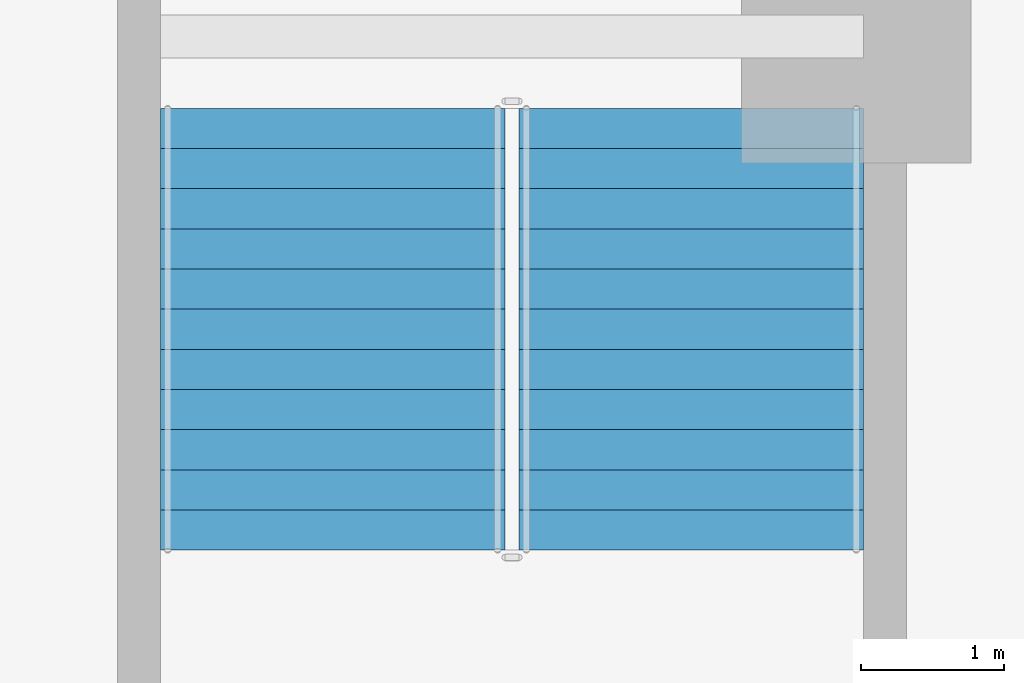
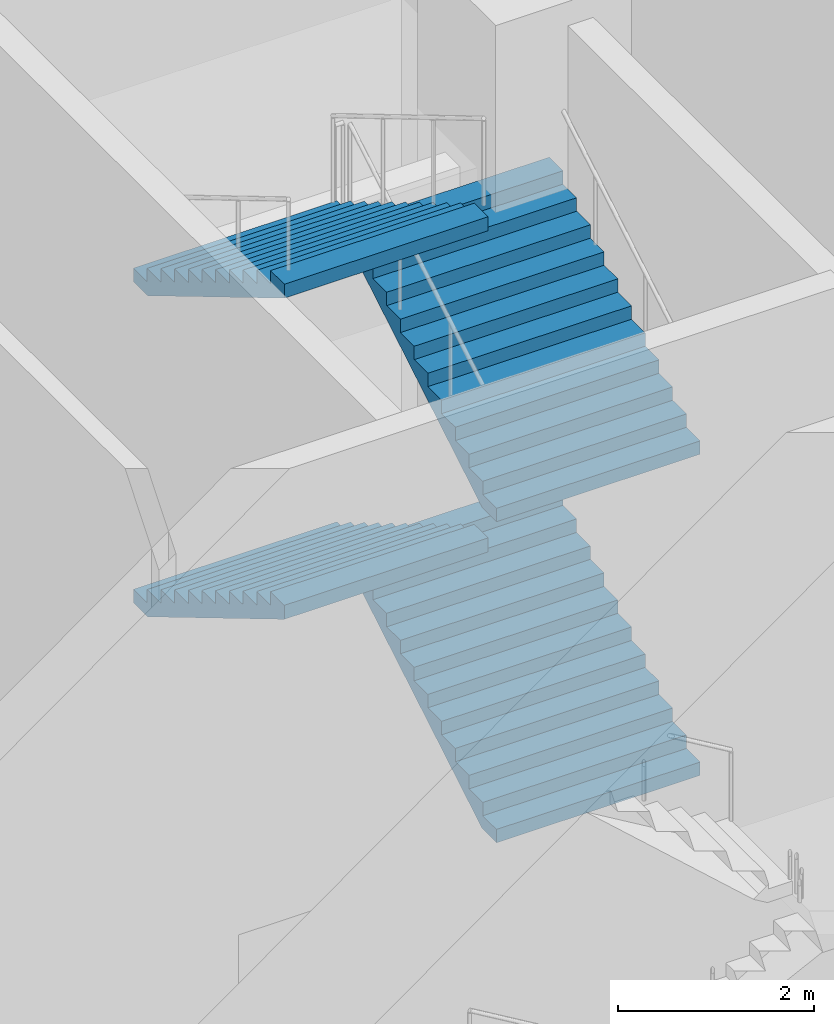
# One storey, part 38 of 54: 4 stair flights, 1 element without a shape of its own.
"""IFC4 building model written with IfcOpenShell, lengths in metres."""

from ifc_helpers import new_model, si_unit, direction, frame, origin, place, context, subcontext, project, spatial, triangles, source, transform, mapped, material, type_object, element, aggregate, save


model = new_model("IFC4")

# Units and contexts
model_context = context("Model", 3, precision=1e-05, world=origin(), true_north=direction((0.0, 1.0)))
body_context = subcontext(model_context, "Body", "Model", "MODEL_VIEW")
ifc_project = project(units=[si_unit("LENGTHUNIT", "METRE"), si_unit("AREAUNIT", "SQUARE_METRE"), si_unit("VOLUMEUNIT", "CUBIC_METRE"), si_unit("PLANEANGLEUNIT", "RADIAN"), si_unit("MASSUNIT", "GRAM", prefix="KILO")], contexts=[model_context])

# Site, building, storey
site_placement = place(None, origin())
site = spatial("IfcSite", under=ifc_project, at=site_placement, CompositionType="ELEMENT")
building_placement = place(site_placement, origin())
building = spatial("IfcBuilding", under=site, at=building_placement, Name="Ogive Portal Towers", CompositionType="ELEMENT")
storey_placement = place(building_placement, origin())
storey = spatial("IfcBuildingStorey", under=building, at=storey_placement, Name="L00", CompositionType="ELEMENT", Elevation=0.0)

# Stair, stair flights
ifc_material = material(Name="Concrete C40/50", Category="concrete")
stair_type = type_object("IfcStairType", Name="INT-STAIR", PredefinedType="HALF_TURN_STAIR", material=ifc_material)
stair_placement = place(storey_placement, origin())
stair = element("IfcStair", 1, at=stair_placement, inside=storey, type_object=stair_type, Name="L00 Exit Stair ST-P2", PredefinedType="HALF_TURN_STAIR")
stair_flight_type = type_object("IfcStairFlightType", Name="INT-FLIGHT", PredefinedType="STRAIGHT", material=ifc_material)
shared_shape = source(origin(), body_context, "Body", "Tessellation", [
    triangles([(0.0, -1.199951171875, 0.0), (0.0, -0.6943359375, 0.0), (0.0, -0.35546875, 0.0), (0.0, -0.14990234375, 0.0), (0.0, -0.04443359375, 0.0), (0.0, -0.005615234375, 0.0), (0.0, 0.0, 0.0), (0.0, 0.005615234375, 0.0), (0.0, 0.04443359375, 0.0), (0.0, 0.14990234375, 0.0), (0.0, 0.35546875, 0.0), (0.0, 0.6943359375, 0.0), (0.0, 1.199951171875, 0.0), (0.0, -1.199951171875, 0.166748046875), (0.0, -0.6943359375, 0.166748046875), (0.0, -0.35546875, 0.166748046875), (0.0, -0.14990234375, 0.166748046875), (0.0, -0.04443359375, 0.166748046875), (0.0, -0.005615234375, 0.166748046875), (0.0, 0.0, 0.166748046875), (0.0, 0.005615234375, 0.166748046875), (0.0, 0.04443359375, 0.166748046875), (0.0, 0.14990234375, 0.166748046875), (0.0, 0.35546875, 0.166748046875), (0.0, 0.6943359375, 0.166748046875), (0.0, 1.199951171875, 0.166748046875), (0.280029296875, -1.199951171875, 0.166748046875), (0.280029296875, -0.6943359375, 0.166748046875), (0.280029296875, -0.35546875, 0.166748046875), (0.280029296875, -0.14990234375, 0.166748046875), (0.280029296875, -0.04443359375, 0.166748046875), (0.280029296875, -0.005615234375, 0.166748046875), (0.280029296875, 0.0, 0.166748046875), (0.280029296875, 0.005615234375, 0.166748046875), (0.280029296875, 0.04443359375, 0.166748046875), (0.280029296875, 0.14990234375, 0.166748046875), (0.280029296875, 0.35546875, 0.166748046875), (0.280029296875, 0.6943359375, 0.166748046875), (0.280029296875, 1.199951171875, 0.166748046875), (0.280029296875, -1.199951171875, 0.333251953125), (0.280029296875, -0.6943359375, 0.333251953125), (0.280029296875, -0.35546875, 0.333251953125), (0.280029296875, -0.14990234375, 0.333251953125), (0.280029296875, -0.04443359375, 0.333251953125), (0.280029296875, -0.005615234375, 0.333251953125), (0.280029296875, 0.0, 0.333251953125), (0.280029296875, 0.005615234375, 0.333251953125), (0.280029296875, 0.04443359375, 0.333251953125), (0.280029296875, 0.14990234375, 0.333251953125), (0.280029296875, 0.35546875, 0.333251953125), (0.280029296875, 0.6943359375, 0.333251953125), (0.280029296875, 1.199951171875, 0.333251953125), (0.56005859375, -1.199951171875, 0.333251953125), (0.56005859375, -0.6943359375, 0.333251953125), (0.56005859375, -0.35546875, 0.333251953125), (0.56005859375, -0.14990234375, 0.333251953125), (0.56005859375, -0.04443359375, 0.333251953125), (0.56005859375, -0.005615234375, 0.333251953125), (0.56005859375, 0.0, 0.333251953125), (0.56005859375, 0.005615234375, 0.333251953125), (0.56005859375, 0.04443359375, 0.333251953125), (0.56005859375, 0.14990234375, 0.333251953125), (0.56005859375, 0.35546875, 0.333251953125), (0.56005859375, 0.6943359375, 0.333251953125), (0.56005859375, 1.199951171875, 0.333251953125), (0.56005859375, -1.199951171875, 0.5), (0.56005859375, -0.6943359375, 0.5), (0.56005859375, -0.35546875, 0.5), (0.56005859375, -0.14990234375, 0.5), (0.56005859375, -0.04443359375, 0.5), (0.56005859375, -0.005615234375, 0.5), (0.56005859375, 0.0, 0.5), (0.56005859375, 0.005615234375, 0.5), (0.56005859375, 0.04443359375, 0.5), (0.56005859375, 0.14990234375, 0.5), (0.56005859375, 0.35546875, 0.5), (0.56005859375, 0.6943359375, 0.5), (0.56005859375, 1.199951171875, 0.5), (0.840087890625, -1.199951171875, 0.5), (0.840087890625, -0.6943359375, 0.5), (0.840087890625, -0.35546875, 0.5), (0.840087890625, -0.14990234375, 0.5), (0.840087890625, -0.04443359375, 0.5), (0.840087890625, -0.005615234375, 0.5), (0.840087890625, 0.0, 0.5), (0.840087890625, 0.005615234375, 0.5), (0.840087890625, 0.04443359375, 0.5), (0.840087890625, 0.14990234375, 0.5), (0.840087890625, 0.35546875, 0.5), (0.840087890625, 0.6943359375, 0.5), (0.840087890625, 1.199951171875, 0.5), (0.840087890625, -1.199951171875, 0.666748046875), (0.840087890625, -0.6943359375, 0.666748046875), (0.840087890625, -0.35546875, 0.666748046875), (0.840087890625, -0.14990234375, 0.666748046875), (0.840087890625, -0.04443359375, 0.666748046875), (0.840087890625, -0.005615234375, 0.666748046875), (0.840087890625, 0.0, 0.666748046875), (0.840087890625, 0.005615234375, 0.666748046875), (0.840087890625, 0.04443359375, 0.666748046875), (0.840087890625, 0.14990234375, 0.666748046875), (0.840087890625, 0.35546875, 0.666748046875), (0.840087890625, 0.6943359375, 0.666748046875), (0.840087890625, 1.199951171875, 0.666748046875), (1.1201171875, -1.199951171875, 0.666748046875), (1.1201171875, -0.6943359375, 0.666748046875), (1.1201171875, -0.35546875, 0.666748046875), (1.1201171875, -0.14990234375, 0.666748046875), (1.1201171875, -0.04443359375, 0.666748046875), (1.1201171875, -0.005615234375, 0.666748046875), (1.1201171875, 0.0, 0.666748046875), (1.1201171875, 0.005615234375, 0.666748046875), (1.1201171875, 0.04443359375, 0.666748046875), (1.1201171875, 0.14990234375, 0.666748046875), (1.1201171875, 0.35546875, 0.666748046875), (1.1201171875, 0.6943359375, 0.666748046875), (1.1201171875, 1.199951171875, 0.666748046875), (1.1201171875, -1.199951171875, 0.833251953125), (1.1201171875, -0.6943359375, 0.833251953125), (1.1201171875, -0.35546875, 0.833251953125), (1.1201171875, -0.14990234375, 0.833251953125), (1.1201171875, -0.04443359375, 0.833251953125), (1.1201171875, -0.005615234375, 0.833251953125), (1.1201171875, 0.0, 0.833251953125), (1.1201171875, 0.005615234375, 0.833251953125), (1.1201171875, 0.04443359375, 0.833251953125), (1.1201171875, 0.14990234375, 0.833251953125), (1.1201171875, 0.35546875, 0.833251953125), (1.1201171875, 0.6943359375, 0.833251953125), (1.1201171875, 1.199951171875, 0.833251953125), (1.39990234375, -1.199951171875, 0.833251953125), (1.39990234375, -0.6943359375, 0.833251953125), (1.39990234375, -0.35546875, 0.833251953125), (1.39990234375, -0.14990234375, 0.833251953125), (1.39990234375, -0.04443359375, 0.833251953125), (1.39990234375, -0.005615234375, 0.833251953125), (1.39990234375, 0.0, 0.833251953125), (1.39990234375, 0.005615234375, 0.833251953125), (1.39990234375, 0.04443359375, 0.833251953125), (1.39990234375, 0.14990234375, 0.833251953125), (1.39990234375, 0.35546875, 0.833251953125), (1.39990234375, 0.6943359375, 0.833251953125), (1.39990234375, 1.199951171875, 0.833251953125), (1.39990234375, -1.199951171875, 1.0), (1.39990234375, -0.6943359375, 1.0), (1.39990234375, -0.35546875, 1.0), (1.39990234375, -0.14990234375, 1.0), (1.39990234375, -0.04443359375, 1.0), (1.39990234375, -0.005615234375, 1.0), (1.39990234375, 0.0, 1.0), (1.39990234375, 0.005615234375, 1.0), (1.39990234375, 0.04443359375, 1.0), (1.39990234375, 0.14990234375, 1.0), (1.39990234375, 0.35546875, 1.0), (1.39990234375, 0.6943359375, 1.0), (1.39990234375, 1.199951171875, 1.0), (1.679931640625, -1.199951171875, 1.0), (1.679931640625, -0.6943359375, 1.0), (1.679931640625, -0.35546875, 1.0), (1.679931640625, -0.14990234375, 1.0), (1.679931640625, -0.04443359375, 1.0), (1.679931640625, -0.005615234375, 1.0), (1.679931640625, 0.0, 1.0), (1.679931640625, 0.005615234375, 1.0), (1.679931640625, 0.04443359375, 1.0), (1.679931640625, 0.14990234375, 1.0), (1.679931640625, 0.35546875, 1.0), (1.679931640625, 0.6943359375, 1.0), (1.679931640625, 1.199951171875, 1.0), (1.679931640625, -1.199951171875, 1.166748046875), (1.679931640625, -0.6943359375, 1.166748046875), (1.679931640625, -0.35546875, 1.166748046875), (1.679931640625, -0.14990234375, 1.166748046875), (1.679931640625, -0.04443359375, 1.166748046875), (1.679931640625, -0.005615234375, 1.166748046875), (1.679931640625, 0.0, 1.166748046875), (1.679931640625, 0.005615234375, 1.166748046875), (1.679931640625, 0.04443359375, 1.166748046875), (1.679931640625, 0.14990234375, 1.166748046875), (1.679931640625, 0.35546875, 1.166748046875), (1.679931640625, 0.6943359375, 1.166748046875), (1.679931640625, 1.199951171875, 1.166748046875), (1.9599609375, -1.199951171875, 1.166748046875), (1.9599609375, -0.6943359375, 1.166748046875), (1.9599609375, -0.35546875, 1.166748046875), (1.9599609375, -0.14990234375, 1.166748046875), (1.9599609375, -0.04443359375, 1.166748046875), (1.9599609375, -0.005615234375, 1.166748046875), (1.9599609375, 0.0, 1.166748046875), (1.9599609375, 0.005615234375, 1.166748046875), (1.9599609375, 0.04443359375, 1.166748046875), (1.9599609375, 0.14990234375, 1.166748046875), (1.9599609375, 0.35546875, 1.166748046875), (1.9599609375, 0.6943359375, 1.166748046875), (1.9599609375, 1.199951171875, 1.166748046875), (1.9599609375, -1.199951171875, 1.333251953125), (1.9599609375, -0.6943359375, 1.333251953125), (1.9599609375, -0.35546875, 1.333251953125), (1.9599609375, -0.14990234375, 1.333251953125), (1.9599609375, -0.04443359375, 1.333251953125), (1.9599609375, -0.005615234375, 1.333251953125), (1.9599609375, 0.0, 1.333251953125), (1.9599609375, 0.005615234375, 1.333251953125), (1.9599609375, 0.04443359375, 1.333251953125), (1.9599609375, 0.14990234375, 1.333251953125), (1.9599609375, 0.35546875, 1.333251953125), (1.9599609375, 0.6943359375, 1.333251953125), (1.9599609375, 1.199951171875, 1.333251953125), (2.239990234375, -1.199951171875, 1.333251953125), (2.239990234375, -0.6943359375, 1.333251953125), (2.239990234375, -0.35546875, 1.333251953125), (2.239990234375, -0.14990234375, 1.333251953125), (2.239990234375, -0.04443359375, 1.333251953125), (2.239990234375, -0.005615234375, 1.333251953125), (2.239990234375, 0.0, 1.333251953125), (2.239990234375, 0.005615234375, 1.333251953125), (2.239990234375, 0.04443359375, 1.333251953125), (2.239990234375, 0.14990234375, 1.333251953125), (2.239990234375, 0.35546875, 1.333251953125), (2.239990234375, 0.6943359375, 1.333251953125), (2.239990234375, 1.199951171875, 1.333251953125), (2.239990234375, -1.199951171875, 1.5), (2.239990234375, -0.6943359375, 1.5), (2.239990234375, -0.35546875, 1.5), (2.239990234375, -0.14990234375, 1.5), (2.239990234375, -0.04443359375, 1.5), (2.239990234375, -0.005615234375, 1.5), (2.239990234375, 0.0, 1.5), (2.239990234375, 0.005615234375, 1.5), (2.239990234375, 0.04443359375, 1.5), (2.239990234375, 0.14990234375, 1.5), (2.239990234375, 0.35546875, 1.5), (2.239990234375, 0.6943359375, 1.5), (2.239990234375, 1.199951171875, 1.5), (2.52001953125, -1.199951171875, 1.5), (2.52001953125, -0.6943359375, 1.5), (2.52001953125, -0.35546875, 1.5), (2.52001953125, -0.14990234375, 1.5), (2.52001953125, -0.04443359375, 1.5), (2.52001953125, -0.005615234375, 1.5), (2.52001953125, 0.0, 1.5), (2.52001953125, 0.005615234375, 1.5), (2.52001953125, 0.04443359375, 1.5), (2.52001953125, 0.14990234375, 1.5), (2.52001953125, 0.35546875, 1.5), (2.52001953125, 0.6943359375, 1.5), (2.52001953125, 1.199951171875, 1.5), (2.52001953125, -1.199951171875, 1.666748046875), (2.52001953125, -0.6943359375, 1.666748046875), (2.52001953125, -0.35546875, 1.666748046875), (2.52001953125, -0.14990234375, 1.666748046875), (2.52001953125, -0.04443359375, 1.666748046875), (2.52001953125, -0.005615234375, 1.666748046875), (2.52001953125, 0.0, 1.666748046875), (2.52001953125, 0.005615234375, 1.666748046875), (2.52001953125, 0.04443359375, 1.666748046875), (2.52001953125, 0.14990234375, 1.666748046875), (2.52001953125, 0.35546875, 1.666748046875), (2.52001953125, 0.6943359375, 1.666748046875), (2.52001953125, 1.199951171875, 1.666748046875), (2.800048828125, -1.199951171875, 1.666748046875), (2.800048828125, -0.6943359375, 1.666748046875), (2.800048828125, -0.35546875, 1.666748046875), (2.800048828125, -0.14990234375, 1.666748046875), (2.800048828125, -0.04443359375, 1.666748046875), (2.800048828125, -0.005615234375, 1.666748046875), (2.800048828125, 0.0, 1.666748046875), (2.800048828125, 0.005615234375, 1.666748046875), (2.800048828125, 0.04443359375, 1.666748046875), (2.800048828125, 0.14990234375, 1.666748046875), (2.800048828125, 0.35546875, 1.666748046875), (2.800048828125, 0.6943359375, 1.666748046875), (2.800048828125, 1.199951171875, 1.666748046875), (2.800048828125, -1.199951171875, 1.833251953125), (2.800048828125, -0.6943359375, 1.833251953125), (2.800048828125, -0.35546875, 1.833251953125), (2.800048828125, -0.14990234375, 1.833251953125), (2.800048828125, -0.04443359375, 1.833251953125), (2.800048828125, -0.005615234375, 1.833251953125), (2.800048828125, 0.0, 1.833251953125), (2.800048828125, 0.005615234375, 1.833251953125), (2.800048828125, 0.04443359375, 1.833251953125), (2.800048828125, 0.14990234375, 1.833251953125), (2.800048828125, 0.35546875, 1.833251953125), (2.800048828125, 0.6943359375, 1.833251953125), (2.800048828125, 1.199951171875, 1.833251953125), (3.080078125, -1.199951171875, 1.833251953125), (3.080078125, -0.6943359375, 1.833251953125), (3.080078125, -0.35546875, 1.833251953125), (3.080078125, -0.14990234375, 1.833251953125), (3.080078125, -0.04443359375, 1.833251953125), (3.080078125, -0.005615234375, 1.833251953125), (3.080078125, 0.0, 1.833251953125), (3.080078125, 0.005615234375, 1.833251953125), (3.080078125, 0.04443359375, 1.833251953125), (3.080078125, 0.14990234375, 1.833251953125), (3.080078125, 0.35546875, 1.833251953125), (3.080078125, 0.6943359375, 1.833251953125), (3.080078125, 1.199951171875, 1.833251953125), (3.080078125, -1.199951171875, 1.658935546875), (3.080078125, -0.6943359375, 1.658935546875), (3.080078125, -0.35546875, 1.658935546875), (3.080078125, -0.14990234375, 1.658935546875), (3.080078125, -0.04443359375, 1.658935546875), (3.080078125, -0.005615234375, 1.658935546875), (3.080078125, 0.0, 1.658935546875), (3.080078125, 0.005615234375, 1.658935546875), (3.080078125, 0.04443359375, 1.658935546875), (3.080078125, 0.14990234375, 1.658935546875), (3.080078125, 0.35546875, 1.658935546875), (3.080078125, 0.6943359375, 1.658935546875), (3.080078125, 1.199951171875, 1.658935546875), (0.29296875, -1.199951171875, 0.0), (0.29296875, -0.6943359375, 0.0), (0.29296875, -0.35546875, 0.0), (0.29296875, -0.14990234375, 0.0), (0.29296875, -0.04443359375, 0.0), (0.29296875, -0.005615234375, 0.0), (0.29296875, 0.0, 0.0), (0.29296875, 0.005615234375, 0.0), (0.29296875, 0.04443359375, 0.0), (0.29296875, 0.14990234375, 0.0), (0.29296875, 0.35546875, 0.0), (0.29296875, 0.6943359375, 0.0), (0.29296875, 1.199951171875, 0.0)], [[1, 14, 15], [1, 15, 2], [2, 15, 16], [2, 16, 3], [3, 16, 17], [3, 17, 4], [4, 17, 18], [4, 18, 5], [5, 18, 19], [5, 19, 6], [6, 19, 20], [6, 20, 7], [7, 20, 21], [7, 21, 8], [8, 21, 22], [8, 22, 9], [9, 22, 23], [9, 23, 10], [10, 23, 24], [10, 24, 11], [11, 24, 25], [11, 25, 12], [12, 25, 26], [12, 26, 13], [14, 27, 28], [14, 28, 15], [15, 28, 29], [15, 29, 16], [16, 29, 30], [16, 30, 17], [17, 30, 31], [17, 31, 18], [18, 31, 32], [18, 32, 19], [19, 32, 33], [19, 33, 20], [20, 33, 34], [20, 34, 21], [21, 34, 35], [21, 35, 22], [22, 35, 36], [22, 36, 23], [23, 36, 37], [23, 37, 24], [24, 37, 38], [24, 38, 25], [25, 38, 39], [25, 39, 26], [27, 40, 41], [27, 41, 28], [28, 41, 42], [28, 42, 29], [29, 42, 43], [29, 43, 30], [30, 43, 44], [30, 44, 31], [31, 44, 45], [31, 45, 32], [32, 45, 46], [32, 46, 33], [33, 46, 47], [33, 47, 34], [34, 47, 48], [34, 48, 35], [35, 48, 49], [35, 49, 36], [36, 49, 50], [36, 50, 37], [37, 50, 51], [37, 51, 38], [38, 51, 52], [38, 52, 39], [40, 53, 54], [40, 54, 41], [41, 54, 55], [41, 55, 42], [42, 55, 56], [42, 56, 43], [43, 56, 57], [43, 57, 44], [44, 57, 58], [44, 58, 45], [45, 58, 59], [45, 59, 46], [46, 59, 60], [46, 60, 47], [47, 60, 61], [47, 61, 48], [48, 61, 62], [48, 62, 49], [49, 62, 63], [49, 63, 50], [50, 63, 64], [50, 64, 51], [51, 64, 65], [51, 65, 52], [53, 66, 67], [53, 67, 54], [54, 67, 68], [54, 68, 55], [55, 68, 69], [55, 69, 56], [56, 69, 70], [56, 70, 57], [57, 70, 71], [57, 71, 58], [58, 71, 72], [58, 72, 59], [59, 72, 73], [59, 73, 60], [60, 73, 74], [60, 74, 61], [61, 74, 75], [61, 75, 62], [62, 75, 76], [62, 76, 63], [63, 76, 77], [63, 77, 64], [64, 77, 78], [64, 78, 65], [66, 79, 80], [66, 80, 67], [67, 80, 81], [67, 81, 68], [68, 81, 82], [68, 82, 69], [69, 82, 83], [69, 83, 70], [70, 83, 84], [70, 84, 71], [71, 84, 85], [71, 85, 72], [72, 85, 86], [72, 86, 73], [73, 86, 87], [73, 87, 74], [74, 87, 88], [74, 88, 75], [75, 88, 89], [75, 89, 76], [76, 89, 90], [76, 90, 77], [77, 90, 91], [77, 91, 78], [79, 92, 93], [79, 93, 80], [80, 93, 94], [80, 94, 81], [81, 94, 95], [81, 95, 82], [82, 95, 96], [82, 96, 83], [83, 96, 97], [83, 97, 84], [84, 97, 98], [84, 98, 85], [85, 98, 99], [85, 99, 86], [86, 99, 100], [86, 100, 87], [87, 100, 101], [87, 101, 88], [88, 101, 102], [88, 102, 89], [89, 102, 103], [89, 103, 90], [90, 103, 104], [90, 104, 91], [92, 105, 106], [92, 106, 93], [93, 106, 107], [93, 107, 94], [94, 107, 108], [94, 108, 95], [95, 108, 109], [95, 109, 96], [96, 109, 110], [96, 110, 97], [97, 110, 111], [97, 111, 98], [98, 111, 112], [98, 112, 99], [99, 112, 113], [99, 113, 100], [100, 113, 114], [100, 114, 101], [101, 114, 115], [101, 115, 102], [102, 115, 116], [102, 116, 103], [103, 116, 117], [103, 117, 104], [105, 118, 119], [105, 119, 106], [106, 119, 120], [106, 120, 107], [107, 120, 121], [107, 121, 108], [108, 121, 122], [108, 122, 109], [109, 122, 123], [109, 123, 110], [110, 123, 124], [110, 124, 111], [111, 124, 125], [111, 125, 112], [112, 125, 126], [112, 126, 113], [113, 126, 127], [113, 127, 114], [114, 127, 128], [114, 128, 115], [115, 128, 129], [115, 129, 116], [116, 129, 130], [116, 130, 117], [118, 131, 132], [118, 132, 119], [119, 132, 133], [119, 133, 120], [120, 133, 134], [120, 134, 121], [121, 134, 135], [121, 135, 122], [122, 135, 136], [122, 136, 123], [123, 136, 137], [123, 137, 124], [124, 137, 138], [124, 138, 125], [125, 138, 139], [125, 139, 126], [126, 139, 140], [126, 140, 127], [127, 140, 141], [127, 141, 128], [128, 141, 142], [128, 142, 129], [129, 142, 143], [129, 143, 130], [131, 144, 145], [131, 145, 132], [132, 145, 146], [132, 146, 133], [133, 146, 147], [133, 147, 134], [134, 147, 148], [134, 148, 135], [135, 148, 149], [135, 149, 136], [136, 149, 150], [136, 150, 137], [137, 150, 151], [137, 151, 138], [138, 151, 152], [138, 152, 139], [139, 152, 153], [139, 153, 140], [140, 153, 154], [140, 154, 141], [141, 154, 155], [141, 155, 142], [142, 155, 156], [142, 156, 143], [144, 157, 158], [144, 158, 145], [145, 158, 159], [145, 159, 146], [146, 159, 160], [146, 160, 147], [147, 160, 161], [147, 161, 148], [148, 161, 162], [148, 162, 149], [149, 162, 163], [149, 163, 150], [150, 163, 164], [150, 164, 151], [151, 164, 165], [151, 165, 152], [152, 165, 166], [152, 166, 153], [153, 166, 167], [153, 167, 154], [154, 167, 168], [154, 168, 155], [155, 168, 169], [155, 169, 156], [157, 170, 171], [157, 171, 158], [158, 171, 172], [158, 172, 159], [159, 172, 173], [159, 173, 160], [160, 173, 174], [160, 174, 161], [161, 174, 175], [161, 175, 162], [162, 175, 176], [162, 176, 163], [163, 176, 177], [163, 177, 164], [164, 177, 178], [164, 178, 165], [165, 178, 179], [165, 179, 166], [166, 179, 180], [166, 180, 167], [167, 180, 181], [167, 181, 168], [168, 181, 182], [168, 182, 169], [170, 183, 184], [170, 184, 171], [171, 184, 185], [171, 185, 172], [172, 185, 186], [172, 186, 173], [173, 186, 187], [173, 187, 174], [174, 187, 188], [174, 188, 175], [175, 188, 189], [175, 189, 176], [176, 189, 190], [176, 190, 177], [177, 190, 191], [177, 191, 178], [178, 191, 192], [178, 192, 179], [179, 192, 193], [179, 193, 180], [180, 193, 194], [180, 194, 181], [181, 194, 195], [181, 195, 182], [183, 196, 197], [183, 197, 184], [184, 197, 198], [184, 198, 185], [185, 198, 199], [185, 199, 186], [186, 199, 200], [186, 200, 187], [187, 200, 201], [187, 201, 188], [188, 201, 202], [188, 202, 189], [189, 202, 203], [189, 203, 190], [190, 203, 204], [190, 204, 191], [191, 204, 205], [191, 205, 192], [192, 205, 206], [192, 206, 193], [193, 206, 207], [193, 207, 194], [194, 207, 208], [194, 208, 195], [196, 209, 210], [196, 210, 197], [197, 210, 211], [197, 211, 198], [198, 211, 212], [198, 212, 199], [199, 212, 213], [199, 213, 200], [200, 213, 214], [200, 214, 201], [201, 214, 215], [201, 215, 202], [202, 215, 216], [202, 216, 203], [203, 216, 217], [203, 217, 204], [204, 217, 218], [204, 218, 205], [205, 218, 219], [205, 219, 206], [206, 219, 220], [206, 220, 207], [207, 220, 221], [207, 221, 208], [209, 222, 223], [209, 223, 210], [210, 223, 224], [210, 224, 211], [211, 224, 225], [211, 225, 212], [212, 225, 226], [212, 226, 213], [213, 226, 227], [213, 227, 214], [214, 227, 228], [214, 228, 215], [215, 228, 229], [215, 229, 216], [216, 229, 230], [216, 230, 217], [217, 230, 231], [217, 231, 218], [218, 231, 232], [218, 232, 219], [219, 232, 233], [219, 233, 220], [220, 233, 234], [220, 234, 221], [222, 235, 236], [222, 236, 223], [223, 236, 237], [223, 237, 224], [224, 237, 238], [224, 238, 225], [225, 238, 239], [225, 239, 226], [226, 239, 240], [226, 240, 227], [227, 240, 241], [227, 241, 228], [228, 241, 242], [228, 242, 229], [229, 242, 243], [229, 243, 230], [230, 243, 244], [230, 244, 231], [231, 244, 245], [231, 245, 232], [232, 245, 246], [232, 246, 233], [233, 246, 247], [233, 247, 234], [235, 248, 249], [235, 249, 236], [236, 249, 250], [236, 250, 237], [237, 250, 251], [237, 251, 238], [238, 251, 252], [238, 252, 239], [239, 252, 253], [239, 253, 240], [240, 253, 254], [240, 254, 241], [241, 254, 255], [241, 255, 242], [242, 255, 256], [242, 256, 243], [243, 256, 257], [243, 257, 244], [244, 257, 258], [244, 258, 245], [245, 258, 259], [245, 259, 246], [246, 259, 260], [246, 260, 247], [248, 261, 262], [248, 262, 249], [249, 262, 263], [249, 263, 250], [250, 263, 264], [250, 264, 251], [251, 264, 265], [251, 265, 252], [252, 265, 266], [252, 266, 253], [253, 266, 267], [253, 267, 254], [254, 267, 268], [254, 268, 255], [255, 268, 269], [255, 269, 256], [256, 269, 270], [256, 270, 257], [257, 270, 271], [257, 271, 258], [258, 271, 272], [258, 272, 259], [259, 272, 273], [259, 273, 260], [261, 274, 275], [261, 275, 262], [262, 275, 276], [262, 276, 263], [263, 276, 277], [263, 277, 264], [264, 277, 278], [264, 278, 265], [265, 278, 279], [265, 279, 266], [266, 279, 280], [266, 280, 267], [267, 280, 281], [267, 281, 268], [268, 281, 282], [268, 282, 269], [269, 282, 283], [269, 283, 270], [270, 283, 284], [270, 284, 271], [271, 284, 285], [271, 285, 272], [272, 285, 286], [272, 286, 273], [274, 287, 288], [274, 288, 275], [275, 288, 289], [275, 289, 276], [276, 289, 290], [276, 290, 277], [277, 290, 291], [277, 291, 278], [278, 291, 292], [278, 292, 279], [279, 292, 293], [279, 293, 280], [280, 293, 294], [280, 294, 281], [281, 294, 295], [281, 295, 282], [282, 295, 296], [282, 296, 283], [283, 296, 297], [283, 297, 284], [284, 297, 298], [284, 298, 285], [285, 298, 299], [285, 299, 286], [287, 300, 301], [287, 301, 288], [288, 301, 302], [288, 302, 289], [289, 302, 303], [289, 303, 290], [290, 303, 304], [290, 304, 291], [291, 304, 305], [291, 305, 292], [292, 305, 306], [292, 306, 293], [293, 306, 307], [293, 307, 294], [294, 307, 308], [294, 308, 295], [295, 308, 309], [295, 309, 296], [296, 309, 310], [296, 310, 297], [297, 310, 311], [297, 311, 298], [298, 311, 312], [298, 312, 299], [300, 313, 314], [300, 314, 301], [301, 314, 315], [301, 315, 302], [302, 315, 316], [302, 316, 303], [303, 316, 317], [303, 317, 304], [304, 317, 318], [304, 318, 305], [305, 318, 319], [305, 319, 306], [306, 319, 320], [306, 320, 307], [307, 320, 321], [307, 321, 308], [308, 321, 322], [308, 322, 309], [309, 322, 323], [309, 323, 310], [310, 323, 324], [310, 324, 311], [311, 324, 325], [311, 325, 312], [313, 1, 2], [313, 2, 314], [314, 2, 3], [314, 3, 315], [315, 3, 4], [315, 4, 316], [316, 4, 5], [316, 5, 317], [317, 5, 6], [317, 6, 318], [318, 6, 7], [318, 7, 319], [319, 7, 8], [319, 8, 320], [320, 8, 9], [320, 9, 321], [321, 9, 10], [321, 10, 322], [322, 10, 11], [322, 11, 323], [323, 11, 12], [323, 12, 324], [324, 12, 13], [324, 13, 325], [1, 313, 300], [13, 312, 325], [300, 287, 274], [312, 286, 299], [300, 274, 261], [312, 273, 286], [300, 261, 248], [312, 260, 273], [300, 248, 235], [312, 247, 260], [235, 222, 209], [247, 221, 234], [300, 235, 209], [312, 221, 247], [209, 196, 183], [221, 195, 208], [300, 209, 183], [312, 195, 221], [183, 170, 157], [195, 169, 182], [300, 183, 157], [312, 169, 195], [157, 144, 131], [169, 143, 156], [300, 157, 131], [312, 143, 169], [131, 118, 105], [143, 117, 130], [300, 131, 105], [312, 117, 143], [105, 92, 79], [117, 91, 104], [300, 105, 79], [312, 91, 117], [79, 66, 53], [91, 65, 78], [300, 79, 53], [312, 65, 91], [1, 300, 53], [13, 65, 312], [53, 40, 27], [65, 39, 52], [1, 53, 27], [13, 39, 65], [27, 14, 1], [39, 13, 26]], closed=True),
])
stair_flight_1_placement = place(storey_placement, frame((39.35009765625, 45.0, 0.0), z_axis=(0.0, 0.0, 1.0), x_axis=(0.0, 1.0, 0.0)))
stair_flight_1 = element("IfcStairFlight", 2, at=stair_flight_1_placement, type_object=stair_flight_type, Name="ST-P2 flight 1", NumberOfRisers=12, NumberOfTreads=11, PredefinedType="STRAIGHT", RiserHeight=0.166666667, TreadLength=0.28, context=body_context, shape_type="MappedRepresentation", body=[
    mapped(shared_shape, transform((0.0, 0.0, 0.0), scale=1.0)),
])
stair_flight_2_placement = place(storey_placement, frame((36.85009765625, 48.080078125, 2.0), z_axis=(0.0, 0.0, 1.0), x_axis=(0.0, -1.0, 0.0)))
stair_flight_2 = element("IfcStairFlight", 3, at=stair_flight_2_placement, type_object=stair_flight_type, Name="ST-P2 flight 2", NumberOfRisers=12, NumberOfTreads=11, PredefinedType="STRAIGHT", RiserHeight=0.166666667, TreadLength=0.28, context=body_context, shape_type="MappedRepresentation", body=[
    mapped(shared_shape, transform((0.0, 0.0, 0.0), scale=1.0)),
])
stair_flight_3_placement = place(storey_placement, frame((39.35009765625, 45.0, 4.0), z_axis=(0.0, 0.0, 1.0), x_axis=(0.0, 1.0, 0.0)))
stair_flight_3 = element("IfcStairFlight", 4, at=stair_flight_3_placement, type_object=stair_flight_type, Name="ST-P2 flight 3", NumberOfRisers=12, NumberOfTreads=11, PredefinedType="STRAIGHT", RiserHeight=0.166666667, TreadLength=0.28, context=body_context, shape_type="MappedRepresentation", body=[
    mapped(shared_shape, transform((0.0, 0.0, 0.0), scale=1.0)),
])
stair_flight_4_placement = place(storey_placement, frame((36.85009765625, 48.080078125, 6.0), z_axis=(0.0, 0.0, 1.0), x_axis=(0.0, -1.0, 0.0)))
stair_flight_4 = element("IfcStairFlight", 5, at=stair_flight_4_placement, type_object=stair_flight_type, Name="ST-P2 flight 4", NumberOfRisers=12, NumberOfTreads=11, PredefinedType="STRAIGHT", RiserHeight=0.166666667, TreadLength=0.28, context=body_context, shape_type="MappedRepresentation", body=[
    mapped(shared_shape, transform((0.0, 0.0, 0.0), scale=1.0)),
])
aggregate(stair, [stair_flight_1, stair_flight_2, stair_flight_3, stair_flight_4])

save(model, "model.ifc")
